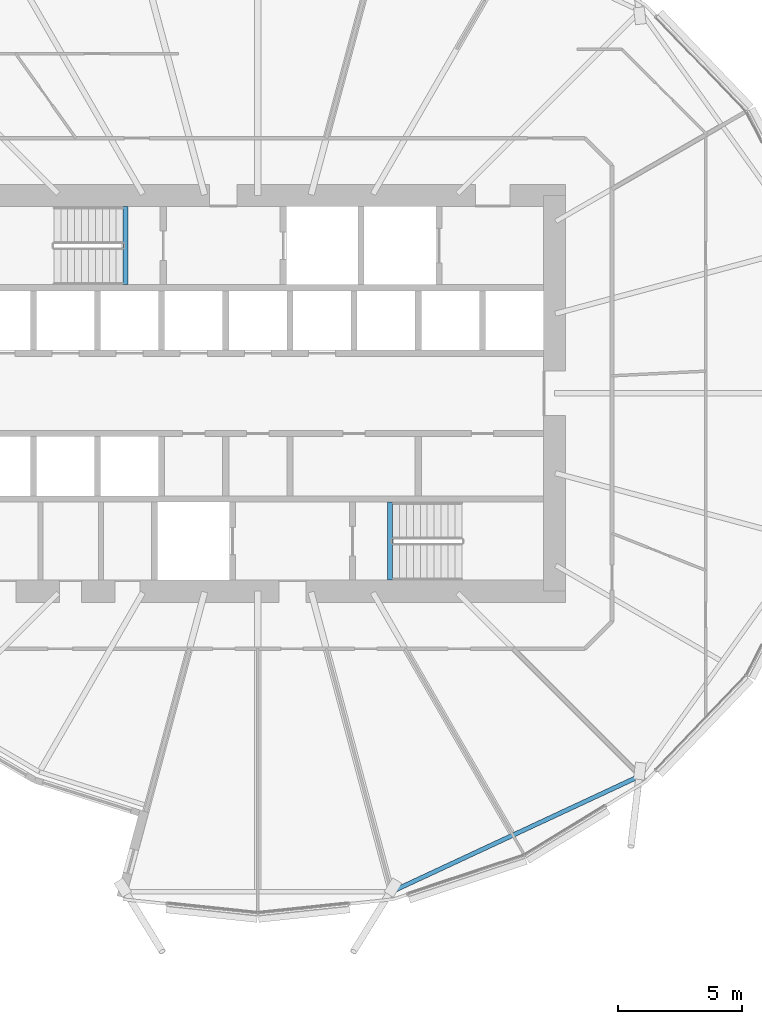
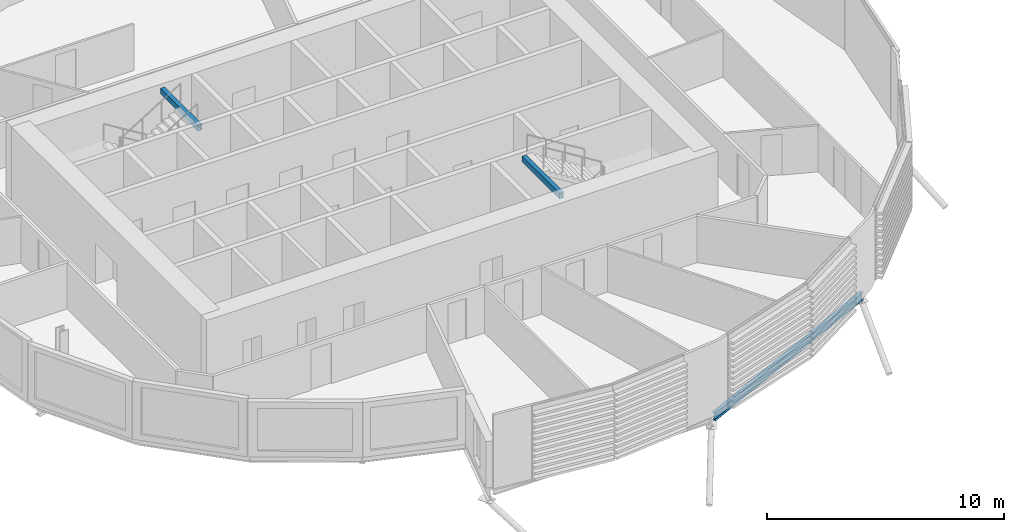
# One storey, part 6 of 38: 3 beams.
"""IFC4 building model written with IfcOpenShell, lengths in metres."""

from ifc_helpers import new_model, si_unit, direction, frame, origin, origin_2d, place, context, subcontext, project, spatial, hollow_rectangle, i_section, extrude, material, material_profile, profile_set, type_object, element, save


model = new_model("IFC4")

# Units and contexts
model_context = context("Model", 3, precision=1e-05, world=origin(), true_north=direction((0.0, 1.0)))
body_context = subcontext(model_context, "Body", "Model", "MODEL_VIEW")
ifc_project = project(units=[si_unit("LENGTHUNIT", "METRE"), si_unit("AREAUNIT", "SQUARE_METRE"), si_unit("VOLUMEUNIT", "CUBIC_METRE"), si_unit("PLANEANGLEUNIT", "RADIAN"), si_unit("MASSUNIT", "GRAM", prefix="KILO")], contexts=[model_context])

# Site, building, storey
site_placement = place(None, origin())
site = spatial("IfcSite", under=ifc_project, at=site_placement, CompositionType="ELEMENT")
building_placement = place(site_placement, origin())
building = spatial("IfcBuilding", under=site, at=building_placement, Name="Rimbun Link Towers", CompositionType="ELEMENT")
storey_placement = place(building_placement, frame((0.0, 0.0, 71.800048828125)))
storey = spatial("IfcBuildingStorey", under=building, at=storey_placement, Name="L17", CompositionType="ELEMENT", Elevation=71.800048828125)

# Beams
ifc_material_1 = material(Name="Steel S355J2", Category="steel")
ifc_material_profile_1 = material_profile(ifc_material_1, hollow_rectangle(XDim=0.199951171875, YDim=0.300048828125, WallThickness=0.011962890625, at=origin_2d()), Name="BOX 300x200x12")
ifc_profile_set_1 = profile_set([ifc_material_profile_1], Name="Steel S355J2")
beam_type_1 = type_object("IfcBeamType", Name="Stair trimmer beam BOX 300x200x12", PredefinedType="BEAM", material=ifc_profile_set_1)
for number, where, z_axis, x_axis, name in (
    (1, (-37.10009765625, 7.550048828125, 3.449951171875), (0.0, -1.0, 0.0), (1.0, 0.0, 0.0), "L17 ST1 stair beam 1"),
    (2, (-26.39990234375, -7.550048828125, 3.449951171875), (0.0, 1.0, 0.0), (-1.0, 0.0, 0.0), "L17 ST2 stair beam 1"),
):
    element("IfcBeam", number, at=place(storey_placement, frame(where, z_axis=z_axis, x_axis=x_axis)), inside=storey, type_object=beam_type_1, Name=name, PredefinedType="BEAM", context=body_context, shape_type="SweptSolid", body=[
        extrude(hollow_rectangle(XDim=0.199951171875, YDim=0.300048828125, WallThickness=0.011962890625, at=origin_2d()), origin(), (0.0, 0.0, 1.0), 3.150146484375),
    ])
ifc_material_2 = material(Name="Steel S355J2", Category="steel")
ifc_material_profile_2 = material_profile(ifc_material_2, i_section(OverallWidth=0.177978515625, OverallDepth=0.406494140625, WebThickness=0.0078125, FlangeThickness=0.0126953125, at=origin_2d()), Name="UB 406x178x60")
ifc_profile_set_2 = profile_set([ifc_material_profile_2], Name="Steel S355J2")
beam_type_2 = type_object("IfcBeamType", Name="UB 406x178x60", PredefinedType="BEAM", material=ifc_profile_set_2)
beam_placement = place(storey_placement, frame((-26.231201171875, -20.10205078125, -0.36328125), z_axis=(0.906379422837, 0.422464604266, 0.0), x_axis=(-0.422464604266, 0.906379422837, 0.0)))
element("IfcBeam", 3, at=beam_placement, inside=storey, type_object=beam_type_2, Name="Edge beam T1 L17 19-21", PredefinedType="BEAM", context=body_context, shape_type="SweptSolid", body=[
    extrude(i_section(OverallWidth=0.177978515625, OverallDepth=0.406494140625, WebThickness=0.0078125, FlangeThickness=0.0126953125, at=origin_2d()), origin(), (0.0, 0.0, 1.0), 10.862060546875),
])

save(model, "model.ifc")
